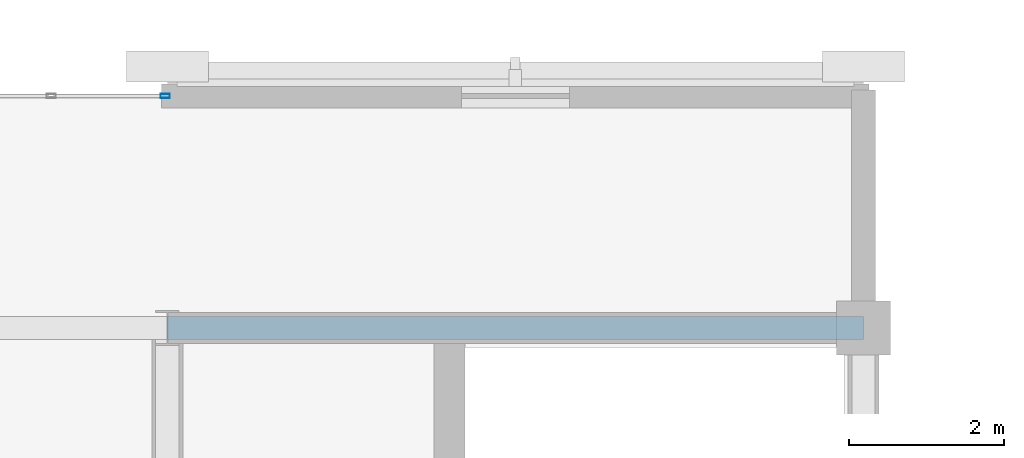
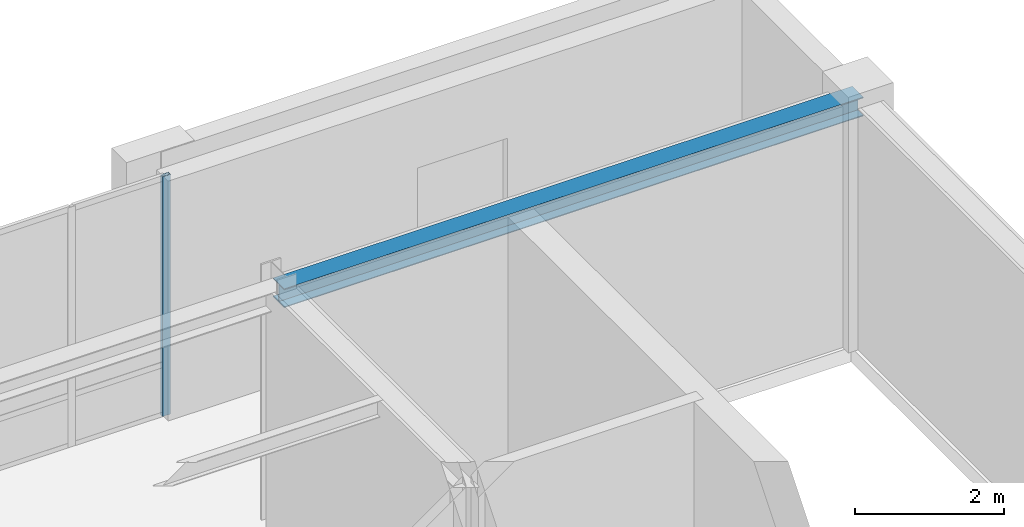
# One storey, part 43 of 130: 1 beam, 1 member, 1 element without a shape of its own.
"""IFC4 building model written with IfcOpenShell, lengths in metres."""

import ifcopenshell
import ifcopenshell.guid

model = None  # the IFC model being written
_history = None  # IfcOwnerHistory: only IFC2X3 demands one
_inside = {}  # id of a spatial element -> (the spatial element, [elements in it])
_under = {}  # id of a project, library or spatial element -> (it, [spatial elements below it])
_declared = {}  # id of a project -> (the project, [libraries it declares])
_typed = {}  # id of a type object -> (the type object, [elements of that type])
_made_of = {}  # id of a material, layer set ... -> (it, [elements and type objects made of it])


def new_model(schema):
    """Start an empty IFC model of exactly this schema.

    Asked for "IFC4X3", IfcOpenShell would pick the latest addendum, in which some entities
    have other attributes; the version numbers below select the first issue.
    IFC2X3 requires an IfcOwnerHistory on every rooted entity: one is made here for all.
    """
    global model, _history
    if schema == "IFC4X3":
        model = ifcopenshell.file(schema_version=(4, 3, 0, 0))
    else:
        model = ifcopenshell.file(schema=schema)
    _inside.clear()
    _under.clear()
    _declared.clear()
    _typed.clear()
    _made_of.clear()
    _history = None
    if model.schema == "IFC2X3":
        org = make("IfcOrganization", Name="unknown")
        user = make(
            "IfcPersonAndOrganization",
            ThePerson=make("IfcPerson", FamilyName="unknown"),
            TheOrganization=org,
        )
        app = make(
            "IfcApplication",
            ApplicationDeveloper=org,
            Version="unknown",
            ApplicationFullName="unknown",
            ApplicationIdentifier="unknown",
        )
        _history = make(
            "IfcOwnerHistory",
            OwningUser=user,
            OwningApplication=app,
            ChangeAction="ADDED",
            CreationDate=0,
        )
    return model


def make(cls, **values):
    """One entity of the class cls with the attributes given. An attribute that is None is left unset."""
    return model.create_entity(
        cls, **{name: value for name, value in values.items() if value is not None}
    )


def rooted(cls, **values):
    """An entity with a GlobalId (a new one), such as an element, a storey or a relation."""
    return make(cls, GlobalId=ifcopenshell.guid.new(), OwnerHistory=_history, **values)


def si_unit(unit_type, name, prefix=None):
    """IfcSIUnit, for example si_unit("LENGTHUNIT", "METRE", prefix="MILLI")."""
    return make("IfcSIUnit", UnitType=unit_type, Prefix=prefix, Name=name)


def assignment(units):
    """IfcUnitAssignment: the units of a project."""
    return None if units is None else make("IfcUnitAssignment", Units=units)


def point(xyz):
    """IfcCartesianPoint."""
    return None if xyz is None else make("IfcCartesianPoint", Coordinates=xyz)


def direction(xyz):
    """IfcDirection."""
    return None if xyz is None else make("IfcDirection", DirectionRatios=xyz)


def frame(location, z_axis=None, x_axis=None):
    """IfcAxis2Placement3D, a coordinate frame: its origin and axes. An axis left out is left unset."""
    return make(
        "IfcAxis2Placement3D",
        Location=point(location),
        Axis=direction(z_axis),
        RefDirection=direction(x_axis),
    )


def frame_2d(location, x_axis=None):
    """IfcAxis2Placement2D, a coordinate frame in the plane: its origin and x axis."""
    return make(
        "IfcAxis2Placement2D", Location=point(location), RefDirection=direction(x_axis)
    )


def origin():
    """The frame at (0, 0, 0) with its axes left unset."""
    return frame((0.0, 0.0, 0.0))


def origin_2d():
    """The frame at (0, 0) in the plane with its x axis left unset."""
    return frame_2d((0.0, 0.0))


def place(relative_to, where):
    """IfcLocalPlacement: puts the frame where relative to a parent placement (None: the world)."""
    return make(
        "IfcLocalPlacement", PlacementRelTo=relative_to, RelativePlacement=where
    )


def context(
    kind, dimensions, precision=None, world=None, true_north=None, identifier=None
):
    """IfcGeometricRepresentationContext, for example the 3D "Model" context."""
    return make(
        "IfcGeometricRepresentationContext",
        ContextIdentifier=identifier,
        ContextType=kind,
        CoordinateSpaceDimension=dimensions,
        Precision=precision,
        WorldCoordinateSystem=world,
        TrueNorth=true_north,
    )


def subcontext(parent, identifier, kind, view, scale=None):
    """IfcGeometricRepresentationSubContext, for example "Body" below "Model"."""
    return make(
        "IfcGeometricRepresentationSubContext",
        ContextIdentifier=identifier,
        ContextType=kind,
        ParentContext=parent,
        TargetScale=scale,
        TargetView=view,
    )


def project(units=None, contexts=None):
    """IfcProject with its units and contexts."""
    return rooted(
        "IfcProject",
        Name="project",
        RepresentationContexts=contexts,
        UnitsInContext=assignment(units),
    )


def spatial(cls, under=None, at=None, **own):
    """A site, building, storey or space (cls), placed at a placement, below another one or the project."""
    s = rooted(cls, ObjectPlacement=at, **own)
    if under is not None:
        _under.setdefault(under.id(), (under, []))[1].append(s)
    return s


def profile(cls, at=None, kind="AREA", **sizes):
    """A parametric profile (cls). Its sizes go by their IFC names, for example OverallWidth=200.0."""
    return make(cls, ProfileType=kind, Position=at, **sizes)


def hollow_rectangle(**sizes):
    """IfcRectangleHollowProfileDef."""
    return profile("IfcRectangleHollowProfileDef", **sizes)


def i_section(**sizes):
    """IfcIShapeProfileDef."""
    return profile("IfcIShapeProfileDef", **sizes)


def extrude(swept, where, along, depth):
    """IfcExtrudedAreaSolid: the profile swept, set in the frame where, extruded along a direction by depth."""
    return make(
        "IfcExtrudedAreaSolid",
        SweptArea=swept,
        Position=where,
        ExtrudedDirection=direction(along),
        Depth=depth,
    )


def shape(context_of_items, identifier, shape_type, items):
    """IfcShapeRepresentation: the items that make up one representation, for example the "Body"."""
    return make(
        "IfcShapeRepresentation",
        ContextOfItems=context_of_items,
        RepresentationIdentifier=identifier,
        RepresentationType=shape_type,
        Items=items,
    )


def material(Name=None, Category=None):
    """IfcMaterial."""
    return make("IfcMaterial", Name=Name, Category=Category)


def material_profile(
    of_material, cross_section, Name=None, Category=None, Priority=None
):
    """IfcMaterialProfile: a cross section and its material."""
    return make(
        "IfcMaterialProfile",
        Name=Name,
        Material=of_material,
        Profile=cross_section,
        Priority=Priority,
        Category=Category,
    )


def profile_set(profiles, Name=None, composite=None):
    """IfcMaterialProfileSet."""
    return make(
        "IfcMaterialProfileSet",
        Name=Name,
        MaterialProfiles=profiles,
        CompositeProfile=composite,
    )


def made_of(thing, what):
    """Note that an element or type object is made of a material, layer set ...; save() writes the relation."""
    if what is not None:
        _made_of.setdefault(what.id(), (what, []))[1].append(thing)
    return thing


def type_object(cls, material=None, **own):
    """A type object (cls), such as IfcWallType, which elements share."""
    return made_of(rooted(cls, **own), material)


def element(
    cls,
    number,
    at=None,
    inside=None,
    cuts=None,
    type_object=None,
    material=None,
    context=None,
    identifier="Body",
    shape_type=None,
    held_by="IfcProductDefinitionShape",
    body=None,
    shapes=None,
    **own,
):
    """One element of the class cls, such as IfcWall. Its Tag is "e" and its number.

    at: its placement. inside: the storey or other place that contains it. cuts: it is an
    opening in that element (IfcRelVoidsElement). A single representation is given by context,
    identifier, shape_type and body (its items); several are given by shapes. held_by: the class
    of the entity that holds the representations. save() writes the other relations.
    """
    e = rooted(cls, Tag="e%d" % number, ObjectPlacement=at, **own)
    if body is not None:
        shapes = [shape(context, identifier, shape_type, body)]
    if shapes is not None:
        e.Representation = make(held_by, Representations=shapes)
    if inside is not None:
        _inside.setdefault(inside.id(), (inside, []))[1].append(e)
    if cuts is not None:
        rooted(
            "IfcRelVoidsElement", RelatingBuildingElement=cuts, RelatedOpeningElement=e
        )
    if type_object is not None:
        _typed.setdefault(type_object.id(), (type_object, []))[1].append(e)
    return made_of(e, material)


def aggregate(whole, parts):
    """IfcRelAggregates: a whole, such as a stair, and the parts it consists of."""
    return rooted("IfcRelAggregates", RelatingObject=whole, RelatedObjects=parts)


def save(model, path):
    """Write the relations noted so far, then the file.

    IfcRelAggregates (storeys below a building ...), IfcRelContainedInSpatialStructure (elements
    in a storey), IfcRelDefinesByType, IfcRelAssociatesMaterial and IfcRelDeclares: one each for
    every whole, place, type object, material and project.
    """
    for whole, parts in _under.values():
        aggregate(whole, parts)
    for where, things in _inside.values():
        rooted(
            "IfcRelContainedInSpatialStructure",
            RelatedElements=things,
            RelatingStructure=where,
        )
    for kind, things in _typed.values():
        rooted("IfcRelDefinesByType", RelatedObjects=things, RelatingType=kind)
    for what, things in _made_of.values():
        rooted("IfcRelAssociatesMaterial", RelatedObjects=things, RelatingMaterial=what)
    for by, libraries in _declared.values():
        rooted("IfcRelDeclares", RelatingContext=by, RelatedDefinitions=libraries)
    model.write(path)


model = new_model("IFC4")

# Units and contexts
model_context = context("Model", 3, precision=1e-05, world=origin(), true_north=direction((0.0, 1.0)))
body_context = subcontext(model_context, "Body", "Model", "MODEL_VIEW")
ifc_project = project(units=[si_unit("LENGTHUNIT", "METRE"), si_unit("AREAUNIT", "SQUARE_METRE"), si_unit("VOLUMEUNIT", "CUBIC_METRE"), si_unit("PLANEANGLEUNIT", "RADIAN"), si_unit("MASSUNIT", "GRAM", prefix="KILO")], contexts=[model_context])

# Site, building, storey
site_placement = place(None, origin())
site = spatial("IfcSite", under=ifc_project, at=site_placement, CompositionType="ELEMENT")
building_placement = place(site_placement, origin())
building = spatial("IfcBuilding", under=site, at=building_placement, Name="Lykobir Media Centre", CompositionType="ELEMENT")
storey_placement = place(building_placement, frame((0.0, 0.0, 19.199951171875)))
storey = spatial("IfcBuildingStorey", under=building, at=storey_placement, Name="L04", CompositionType="ELEMENT", Elevation=19.199951171875)

# Curtain wall, member
ifc_material_1 = material(Name="Anodized Aluminium AW-6060", Category="aluminium")
curtain_wall_type = type_object("IfcCurtainWallType", Name="CW-COURT-B", PredefinedType="NOTDEFINED", material=ifc_material_1)
curtain_wall_placement = place(storey_placement, origin())
curtain_wall = element("IfcCurtainWall", 1, at=curtain_wall_placement, inside=storey, type_object=curtain_wall_type, Name="Curtain wall CW2-L04-0153", PredefinedType="NOTDEFINED")
ifc_material_profile_1 = material_profile(ifc_material_1, hollow_rectangle(XDim=0.054931640625, YDim=0.1201171875, WallThickness=0.003173828125, at=origin_2d()), Name="ALU MULLION 55x120")
ifc_profile_set_1 = profile_set([ifc_material_profile_1], Name="Anodized Aluminium AW-6060")
member_type = type_object("IfcMemberType", Name="CWM-120", PredefinedType="MULLION", material=ifc_profile_set_1)
member_placement = place(storey_placement, frame((71.972412109375, 21.0, 0.0), z_axis=(0.0, 0.0, 1.0), x_axis=(0.0, 1.0, 0.0)))
member = element("IfcMember", 2, at=member_placement, type_object=member_type, Name="CW2-L04-0153 mullion 7", PredefinedType="MULLION", context=body_context, shape_type="SweptSolid", body=[
    extrude(hollow_rectangle(XDim=0.054931640625, YDim=0.1201171875, WallThickness=0.003173828125, at=origin_2d()), origin(), (0.0, 0.0, 1.0), 3.93994140625),
])
aggregate(curtain_wall, [member])

# Beam
ifc_material_2 = material(Name="Steel S355", Category="steel")
ifc_material_profile_2 = material_profile(ifc_material_2, i_section(OverallWidth=0.300048828125, OverallDepth=0.31005859375, WebThickness=0.009033203125, FlangeThickness=0.015380859375, at=origin_2d()), Name="HEA 320")
ifc_profile_set_2 = profile_set([ifc_material_profile_2], Name="Steel S355")
beam_type = type_object("IfcBeamType", Name="SP-HEA320", PredefinedType="SPANDREL", material=ifc_profile_set_2)
beam_placement = place(storey_placement, frame((72.0, 18.0, 3.804931640625), z_axis=(1.0, 0.0, 0.0), x_axis=(0.0, 1.0, 0.0)))
element("IfcBeam", 3, at=beam_placement, inside=storey, type_object=beam_type, Name="Beam BM-L04-0720-0180-0810-0180-2300", PredefinedType="SPANDREL", context=body_context, shape_type="SweptSolid", body=[
    extrude(i_section(OverallWidth=0.300048828125, OverallDepth=0.31005859375, WebThickness=0.009033203125, FlangeThickness=0.015380859375, at=origin_2d()), origin(), (0.0, 0.0, 1.0), 9.0),
])

save(model, "model.ifc")
